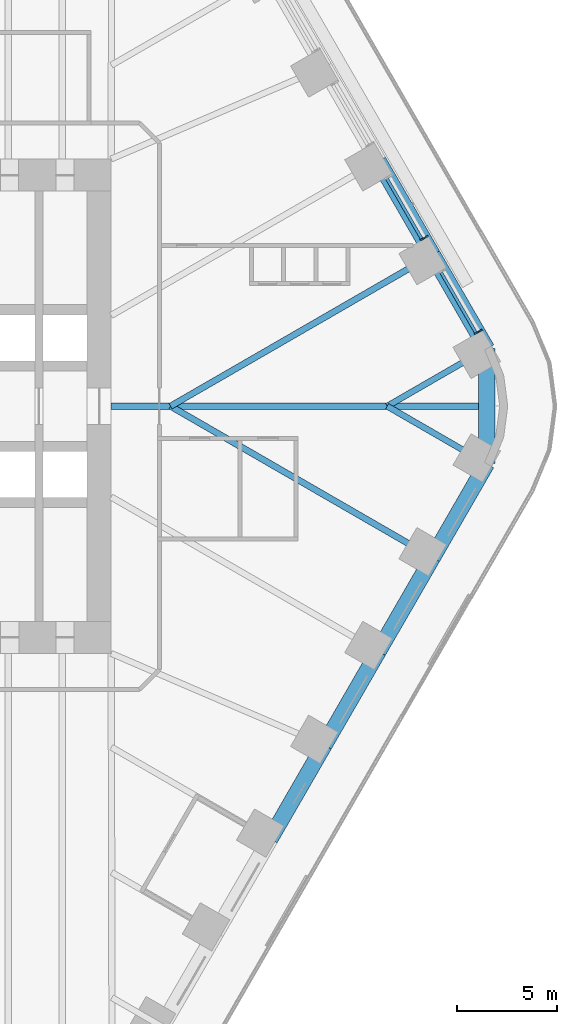
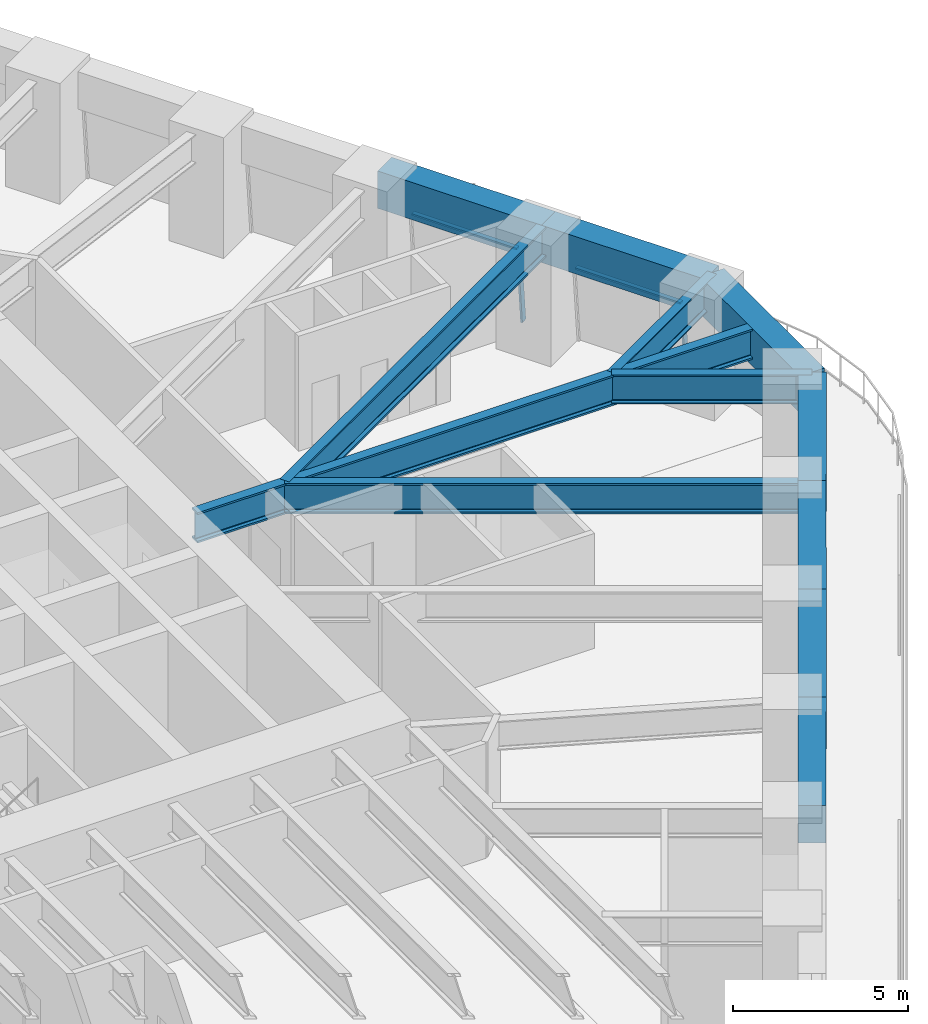
# One storey, part 12 of 24: 12 beams, 4 members, 2 elements without a shape of their own.
"""IFC4 building model written with IfcOpenShell, lengths in metres."""

from ifc_helpers import new_model, si_unit, direction, frame, origin, origin_2d, place, context, subcontext, project, spatial, rectangle, i_section, extrude, material, material_profile, profile_set, type_object, element, aggregate, save


model = new_model("IFC4")

# Units and contexts
model_context = context("Model", 3, precision=1e-05, world=origin(), true_north=direction((0.0, 1.0)))
body_context = subcontext(model_context, "Body", "Model", "MODEL_VIEW")
ifc_project = project(units=[si_unit("LENGTHUNIT", "METRE"), si_unit("AREAUNIT", "SQUARE_METRE"), si_unit("VOLUMEUNIT", "CUBIC_METRE"), si_unit("PLANEANGLEUNIT", "RADIAN"), si_unit("MASSUNIT", "GRAM", prefix="KILO")], contexts=[model_context])

# Site, building, storey
site_placement = place(None, origin())
site = spatial("IfcSite", under=ifc_project, at=site_placement, CompositionType="ELEMENT")
building_placement = place(site_placement, origin())
building = spatial("IfcBuilding", under=site, at=building_placement, Name="Tarfa Lantern Tower", CompositionType="ELEMENT")
storey_placement = place(building_placement, frame((0.0, 0.0, 94.89990234375)))
storey = spatial("IfcBuildingStorey", under=building, at=storey_placement, Name="L21", CompositionType="ELEMENT", Elevation=94.89990234375)

# Curtain wall, member
ifc_material_1 = material(Name="Aluminium framed curtain wall", Category="aluminium")
curtain_wall_type = type_object("IfcCurtainWallType", Name="CW1 CANTED GLAZING LOW ZONE 2700", PredefinedType="USERDEFINED", material=ifc_material_1)
curtain_wall_1_placement = place(storey_placement, origin())
curtain_wall_1 = element("IfcCurtainWall", 1, at=curtain_wall_1_placement, inside=storey, type_object=curtain_wall_type, Name="CW1 NE L21", ObjectType="CURTAIN WALL", PredefinedType="USERDEFINED")
ifc_material_2 = material(Name="Aluminium mullion", Category="aluminium")
ifc_material_profile_1 = material_profile(ifc_material_2, rectangle(XDim=0.06494140625, YDim=0.199951171875, at=origin_2d()), Name="AL MULLION 65x200")
ifc_profile_set_1 = profile_set([ifc_material_profile_1], Name="Aluminium mullion")
member_type_1 = type_object("IfcMemberType", Name="CWM1 MULLION 65x200", PredefinedType="MULLION", material=ifc_profile_set_1)
member_1_placement = place(storey_placement, frame((36.974853515625, 3.757568359375, 0.0), z_axis=(-0.079857261722, -0.046095736191, 0.995739926314), x_axis=(0.499919672301, -0.866071776036, 0.0)))
member_1 = element("IfcMember", 2, at=member_1_placement, type_object=member_type_1, Name="CW1 mullion 1", PredefinedType="MULLION", context=body_context, shape_type="SweptSolid", body=[
    extrude(rectangle(XDim=0.06494140625, YDim=0.199951171875, at=origin_2d()), origin(), (0.0, 0.0, 1.0), 2.711669921875),
])

curtain_wall_2_placement = place(storey_placement, origin())
curtain_wall_2 = element("IfcCurtainWall", 3, at=curtain_wall_2_placement, inside=storey, type_object=curtain_wall_type, Name="CW1 NE L21", ObjectType="CURTAIN WALL", PredefinedType="USERDEFINED")
member_2_placement = place(storey_placement, frame((34.280517578125, 8.42431640625, 0.0), z_axis=(-0.079767804165, -0.046096067418, 0.995747081335), x_axis=(0.500342721131, -0.865827443207, 0.0)))
member_2 = element("IfcMember", 4, at=member_2_placement, type_object=member_type_1, Name="CW1 mullion 1", PredefinedType="MULLION", context=body_context, shape_type="SweptSolid", body=[
    extrude(rectangle(XDim=0.06494140625, YDim=0.199951171875, at=origin_2d()), origin(), (0.0, 0.0, 1.0), 2.711669921875),
])

# Member
ifc_material_3 = material(Name="Aluminium transom", Category="aluminium")
ifc_material_profile_2 = material_profile(ifc_material_3, rectangle(XDim=0.14990234375, YDim=0.06494140625, at=origin_2d()), Name="AL TRANSOM 150x65")
ifc_profile_set_2 = profile_set([ifc_material_profile_2], Name="Aluminium transom")
member_type_2 = type_object("IfcMemberType", Name="CWT1 TRANSOM 150x65", PredefinedType="USERDEFINED", material=ifc_profile_set_2)
member_3_placement = place(storey_placement, frame((36.744873046875, 3.662109375, 2.66748046875), z_axis=(-0.500025915891, 0.866010440721, 0.0), x_axis=(-0.866010440721, -0.500025915891, 0.0)))
member_3 = element("IfcMember", 5, at=member_3_placement, type_object=member_type_2, Name="CW1 transom 1.2", ObjectType="TRANSOM", PredefinedType="USERDEFINED", context=body_context, shape_type="SweptSolid", body=[
    extrude(rectangle(XDim=0.14990234375, YDim=0.06494140625, at=origin_2d()), origin(), (0.0, 0.0, 1.0), 3.458740234375),
])

aggregate(curtain_wall_1, [member_1, member_3])

member_4_placement = place(storey_placement, frame((34.050537109375, 8.328857421875, 2.66748046875), z_axis=(-0.500025915891, 0.866010440721, 0.0), x_axis=(-0.866010440721, -0.500025915891, 0.0)))
member_4 = element("IfcMember", 6, at=member_4_placement, type_object=member_type_2, Name="CW1 transom 1.2", ObjectType="TRANSOM", PredefinedType="USERDEFINED", context=body_context, shape_type="SweptSolid", body=[
    extrude(rectangle(XDim=0.14990234375, YDim=0.06494140625, at=origin_2d()), origin(), (0.0, 0.0, 1.0), 3.458740234375),
])

aggregate(curtain_wall_2, [member_2, member_4])

# Beams
ifc_material_4 = material(Name="Concrete C80/95", Category="concrete")
ifc_material_profile_3 = material_profile(ifc_material_4, rectangle(XDim=0.800048828125, YDim=1.300048828125, at=origin_2d()), Name="RC 800x1300")
ifc_profile_set_3 = profile_set([ifc_material_profile_3], Name="Concrete C80/95")
beam_type_1 = type_object("IfcBeamType", Name="EB1 RC 800x1300", PredefinedType="SPANDREL", material=ifc_profile_set_3)
beam_1_placement = place(storey_placement, frame((37.285400390625, 2.860107421875, 3.35009765625), z_axis=(-0.500017906299, 0.866015065331, 0.0), x_axis=(-0.866015065331, -0.500017906299, 0.0)))
element("IfcBeam", 7, at=beam_1_placement, inside=storey, type_object=beam_type_1, Name="Edge beam NE0", PredefinedType="SPANDREL", context=body_context, shape_type="SweptSolid", body=[
    extrude(rectangle(XDim=0.800048828125, YDim=1.300048828125, at=origin_2d()), origin(), (0.0, 0.0, 1.0), 5.388427734375),
])
beam_2_placement = place(storey_placement, frame((34.591064453125, 7.526611328125, 3.35009765625), z_axis=(-0.499998287579, 0.866026392449, 0.0), x_axis=(-0.866026392449, -0.499998287579, 0.0)))
element("IfcBeam", 8, at=beam_2_placement, inside=storey, type_object=beam_type_1, Name="Edge beam NE1", PredefinedType="SPANDREL", context=body_context, shape_type="SweptSolid", body=[
    extrude(rectangle(XDim=0.800048828125, YDim=1.300048828125, at=origin_2d()), origin(), (0.0, 0.0, 1.0), 5.388671875),
])
beam_3_placement = place(storey_placement, frame((26.508056640625, -21.526611328125, 3.35009765625), z_axis=(0.500017906299, 0.866015065331, 0.0), x_axis=(-0.866015065331, 0.500017906299, 0.0)))
element("IfcBeam", 9, at=beam_3_placement, inside=storey, type_object=beam_type_1, Name="Edge beam SE2", PredefinedType="SPANDREL", context=body_context, shape_type="SweptSolid", body=[
    extrude(rectangle(XDim=0.800048828125, YDim=1.300048828125, at=origin_2d()), origin(), (0.0, 0.0, 1.0), 5.388427734375),
])
for number, where, z_axis, x_axis, name in (
    (10, (29.202392578125, -16.860107421875, 3.35009765625), (0.499998287579, 0.866026392449, 0.0), (-0.866026392449, 0.499998287579, 0.0), "Edge beam SE3"),
    (11, (31.896728515625, -12.193359375, 3.35009765625), (0.499998287579, 0.866026392449, 0.0), (-0.866026392449, 0.499998287579, 0.0), "Edge beam SE4"),
):
    element("IfcBeam", number, at=place(storey_placement, frame(where, z_axis=z_axis, x_axis=x_axis)), inside=storey, type_object=beam_type_1, Name=name, PredefinedType="SPANDREL", context=body_context, shape_type="SweptSolid", body=[
        extrude(rectangle(XDim=0.800048828125, YDim=1.300048828125, at=origin_2d()), origin(), (0.0, 0.0, 1.0), 5.388671875),
    ])
beam_4_placement = place(storey_placement, frame((34.591064453125, -7.526611328125, 3.35009765625), z_axis=(0.500017906299, 0.866015065331, 0.0), x_axis=(-0.866015065331, 0.500017906299, 0.0)))
element("IfcBeam", 12, at=beam_4_placement, inside=storey, type_object=beam_type_1, Name="Edge beam SE5", PredefinedType="SPANDREL", context=body_context, shape_type="SweptSolid", body=[
    extrude(rectangle(XDim=0.800048828125, YDim=1.300048828125, at=origin_2d()), origin(), (0.0, 0.0, 1.0), 5.388427734375),
])
beam_5_placement = place(storey_placement, frame((37.285400390625, -2.860107421875, 3.35009765625), z_axis=(0.0, 1.0, 0.0), x_axis=(-1.0, 0.0, 0.0)))
element("IfcBeam", 13, at=beam_5_placement, inside=storey, type_object=beam_type_1, Name="Edge beam SE6", PredefinedType="SPANDREL", context=body_context, shape_type="SweptSolid", body=[
    extrude(rectangle(XDim=0.800048828125, YDim=1.300048828125, at=origin_2d()), origin(), (0.0, 0.0, 1.0), 5.72021484375),
])
ifc_material_5 = material(Name="Steel S460M", Category="steel")
ifc_material_profile_4 = material_profile(ifc_material_5, i_section(OverallWidth=0.302001953125, OverallDepth=1.008056640625, WebThickness=0.02099609375, FlangeThickness=0.0400390625, FilletRadius=0.030029296875, at=origin_2d()), Name="UB1016x305x349")
ifc_profile_set_4 = profile_set([ifc_material_profile_4], Name="Steel S460M")
beam_type_2 = type_object("IfcBeamType", Name="UB1016x305x349", PredefinedType="BEAM", material=ifc_profile_set_4)
for number, where, z_axis, x_axis, name in (
    (14, (37.285400390625, 2.860107421875, 3.49609375), (-0.866025668288, -0.499999541866, 0.0), (0.499999541866, -0.866025668288, 0.0), "Floor beam NE0"),
    (15, (37.285400390625, -2.860107421875, 3.49609375), (-0.866025668288, 0.499999541866, 0.0), (-0.499999541866, -0.866025668288, 0.0), "Floor beam SE6"),
):
    element("IfcBeam", number, at=place(storey_placement, frame(where, z_axis=z_axis, x_axis=x_axis)), inside=storey, type_object=beam_type_2, Name=name, PredefinedType="BEAM", context=body_context, shape_type="SweptSolid", body=[
        extrude(i_section(OverallWidth=0.302001953125, OverallDepth=1.008056640625, WebThickness=0.02099609375, FlangeThickness=0.0400390625, FilletRadius=0.030029296875, at=origin_2d()), origin(), (0.0, 0.0, 1.0), 5.72021484375),
    ])
ifc_material_profile_5 = material_profile(ifc_material_5, i_section(OverallWidth=0.314208984375, OverallDepth=1.055908203125, WebThickness=0.035888671875, FlangeThickness=0.06396484375, FilletRadius=0.030029296875, at=origin_2d()), Name="UB1016x305x584")
ifc_profile_set_5 = profile_set([ifc_material_profile_5], Name="Steel S460M")
beam_type_3 = type_object("IfcBeamType", Name="UB1016x305x584", PredefinedType="BEAM", material=ifc_profile_set_5)
beam_6_placement = place(storey_placement, frame((18.60009765625, 0.0, 3.47216796875), z_axis=(1.0, 0.0, 0.0), x_axis=(0.0, 1.0, 0.0)))
element("IfcBeam", 16, at=beam_6_placement, inside=storey, type_object=beam_type_3, Name="Hip girder E", PredefinedType="BEAM", context=body_context, shape_type="SweptSolid", body=[
    extrude(i_section(OverallWidth=0.314208984375, OverallDepth=1.055908203125, WebThickness=0.035888671875, FlangeThickness=0.06396484375, FilletRadius=0.030029296875, at=origin_2d()), origin(), (0.0, 0.0, 1.0), 18.685302734375),
])
for number, where, z_axis, x_axis, name in (
    (17, (34.591064453125, 7.526611328125, 3.47216796875), (-0.86602785945, -0.499995746638, 0.0), (0.499995746638, -0.86602785945, 0.0), "Floor beam NE1"),
    (18, (34.591064453125, -7.526611328125, 3.47216796875), (-0.86602785945, 0.499995746638, 0.0), (-0.499995746638, -0.86602785945, 0.0), "Floor beam SE5"),
):
    element("IfcBeam", number, at=place(storey_placement, frame(where, z_axis=z_axis, x_axis=x_axis)), inside=storey, type_object=beam_type_3, Name=name, PredefinedType="BEAM", context=body_context, shape_type="SweptSolid", body=[
        extrude(i_section(OverallWidth=0.314208984375, OverallDepth=1.055908203125, WebThickness=0.035888671875, FlangeThickness=0.06396484375, FilletRadius=0.030029296875, at=origin_2d()), origin(), (0.0, 0.0, 1.0), 15.053466796875),
    ])

save(model, "model.ifc")
